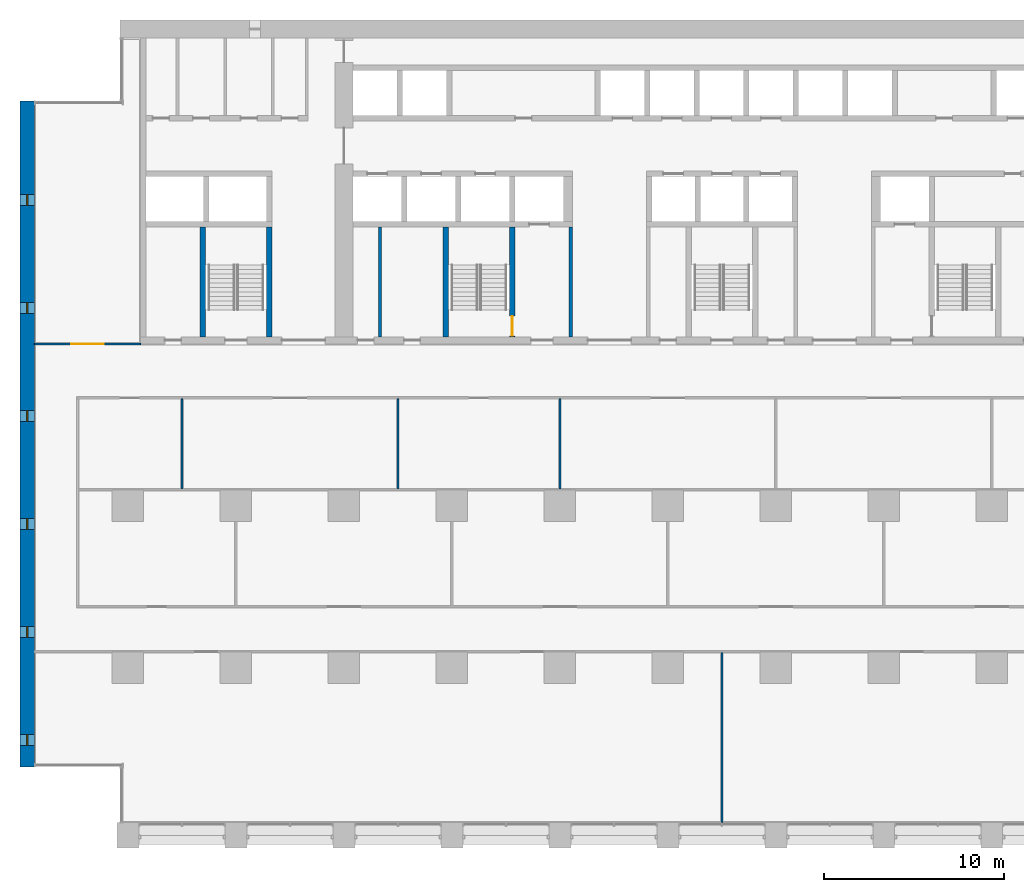
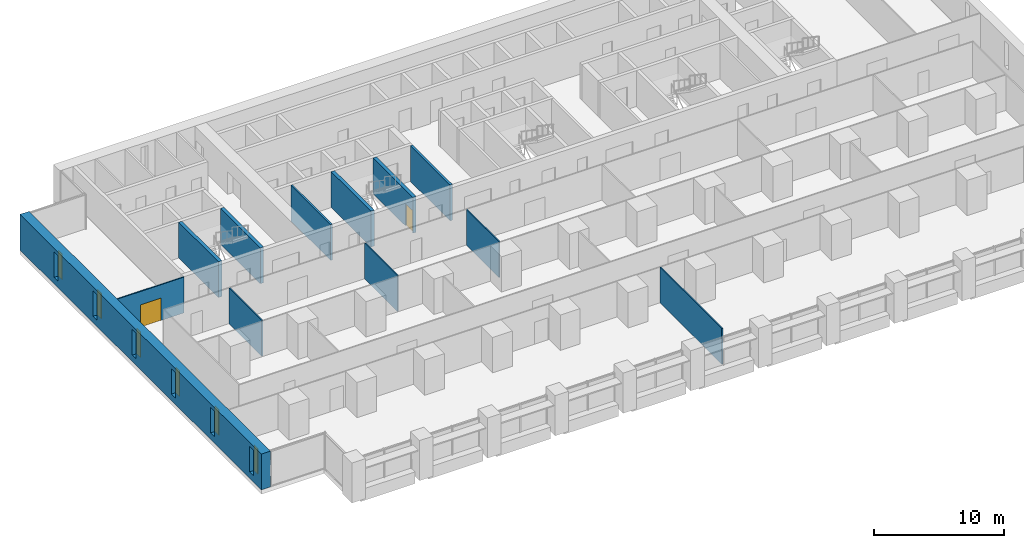
# One storey, part 8 of 18: 12 walls, 6 windows, 2 doors, 8 openings.
"""IFC4 building model written with IfcOpenShell, lengths in metres."""

from ifc_helpers import new_model, si_unit, direction, frame, frame_2d, origin, place, context, subcontext, project, spatial, rectangle, extrude, material, layer, layer_set, type_object, element, fill, save


model = new_model("IFC4")

# Units and contexts
model_context = context("Model", 3, precision=1e-05, world=origin(), true_north=direction((0.0, 1.0)))
body_context = subcontext(model_context, "Body", "Model", "MODEL_VIEW")
ifc_project = project(units=[si_unit("LENGTHUNIT", "METRE"), si_unit("AREAUNIT", "SQUARE_METRE"), si_unit("VOLUMEUNIT", "CUBIC_METRE"), si_unit("PLANEANGLEUNIT", "RADIAN"), si_unit("MASSUNIT", "GRAM", prefix="KILO")], contexts=[model_context])

# Site, building, storey
site_placement = place(None, origin())
site = spatial("IfcSite", under=ifc_project, at=site_placement, CompositionType="ELEMENT")
building_placement = place(site_placement, origin())
building = spatial("IfcBuilding", under=site, at=building_placement, Name="Calvaro Tower", CompositionType="ELEMENT")
storey_placement = place(building_placement, frame((0.0, 0.0, 37.5)))
storey = spatial("IfcBuildingStorey", under=building, at=storey_placement, Name="L08", CompositionType="ELEMENT", Elevation=37.5)

# Walls
ifc_material_1 = material(Name="Blockwork partition", Category="masonry")
ifc_layer_1 = layer(ifc_material_1, 0.14990234375)
ifc_layer_set_1 = layer_set([ifc_layer_1], Name="Blockwork partition")
wall_type_1 = type_object("IfcWallType", Name="Core partition 150 REI 120", PredefinedType="PARTITIONING", material=ifc_layer_set_1)
wall_1_placement = place(storey_placement, frame((20.0, 28.39990234375, 0.0), z_axis=(0.0, 0.0, 1.0), x_axis=(0.0, 1.0, 0.0)))
element("IfcWall", 1, at=wall_1_placement, inside=storey, type_object=wall_type_1, Name="Core partition", PredefinedType="PARTITIONING", context=body_context, shape_type="SweptSolid", body=[
    extrude(rectangle(XDim=6.10009765625, YDim=0.14990234375, at=frame_2d((3.050048828125, 0.0))), origin(), (0.0, 0.0, 1.0), 3.35009765625),
])
ifc_material_2 = material(Name="Blockwork partition", Category="masonry")
ifc_layer_2 = layer(ifc_material_2, 0.199951171875)
ifc_layer_set_2 = layer_set([ifc_layer_2], Name="Blockwork partition")
wall_type_2 = type_object("IfcWallType", Name="Core partition 200 REI 120", PredefinedType="PARTITIONING", material=ifc_layer_set_2)
wall_2_placement = place(storey_placement, frame((30.60009765625, 28.39990234375, 0.0), z_axis=(0.0, 0.0, 1.0), x_axis=(0.0, 1.0, 0.0)))
element("IfcWall", 2, at=wall_2_placement, inside=storey, type_object=wall_type_2, Name="Core partition", PredefinedType="PARTITIONING", context=body_context, shape_type="SweptSolid", body=[
    extrude(rectangle(XDim=6.10009765625, YDim=0.199951171875, at=frame_2d((3.050048828125, 0.0))), origin(), (0.0, 0.0, 1.0), 3.35009765625),
])
ifc_material_3 = material(Name="Concrete C80/95", Category="concrete")
ifc_layer_3 = layer(ifc_material_3, 0.300048828125)
ifc_layer_set_3 = layer_set([ifc_layer_3], Name="Concrete C80/95")
wall_type_3 = type_object("IfcWallType", Name="Core wall C80/95 300", PredefinedType="SHEAR", material=ifc_layer_set_3)
for number, where, z_axis, x_axis, name in (
    (3, (10.14990234375, 28.39990234375, 0.0), (0.0, 0.0, 1.0), (0.0, 1.0, 0.0), "Core wall, stair enclosure"),
    (4, (13.85009765625, 28.39990234375, 0.0), (0.0, 0.0, 1.0), (0.0, 1.0, 0.0), "Core wall, stair enclosure"),
    (5, (23.64990234375, 28.39990234375, 0.0), (0.0, 0.0, 1.0), (0.0, 1.0, 0.0), "Core wall, stair enclosure"),
):
    element("IfcWall", number, at=place(storey_placement, frame(where, z_axis=z_axis, x_axis=x_axis)), inside=storey, type_object=wall_type_3, Name=name, PredefinedType="SHEAR", context=body_context, shape_type="SweptSolid", body=[
        extrude(rectangle(XDim=6.10009765625, YDim=0.300048828125, at=frame_2d((3.050048828125, 0.0))), origin(), (0.0, 0.0, 1.0), 3.35009765625),
    ])

# Wall, opening, door
wall_3_placement = place(storey_placement, frame((27.35009765625, 28.39990234375, 0.0), z_axis=(0.0, 0.0, 1.0), x_axis=(0.0, 1.0, 0.0)))
wall_3 = element("IfcWall", 6, at=wall_3_placement, inside=storey, type_object=wall_type_3, Name="Core wall, stair enclosure", PredefinedType="SHEAR", context=body_context, shape_type="SweptSolid", body=[
    extrude(rectangle(XDim=6.10009765625, YDim=0.300048828125, at=frame_2d((3.050048828125, 0.0))), origin(), (0.0, 0.0, 1.0), 3.35009765625),
])
opening_1_placement = place(wall_3_placement, frame((0.050048828125, 0.0, 0.0)))
opening_1 = element("IfcOpeningElement", 7, at=opening_1_placement, cuts=wall_3, Name="Opening FD11D", PredefinedType="OPENING", context=body_context, shape_type="SweptSolid", body=[
    extrude(rectangle(XDim=1.10009765625, YDim=2.10009765625, at=frame_2d((0.550048828125, 1.050048828125))), frame((0.0, 0.159912109375, 0.0), z_axis=(0.0, -1.0, 0.0), x_axis=(1.0, 0.0, 0.0)), (0.0, 0.0, 1.0), 0.320068359375),
])
ifc_material_4 = material(Name="Steel door set", Category="steel")
door_type_1 = type_object("IfcDoorType", Name="Fire door 1100 FD30S", OperationType="SINGLE_SWING_LEFT", PredefinedType="DOOR", material=ifc_material_4)
door_1_placement = place(opening_1_placement, origin())
door_1 = element("IfcDoor", 8, at=door_1_placement, inside=storey, type_object=door_type_1, Name="Fire door", OperationType="SINGLE_SWING_LEFT", OverallHeight=2.10009765625, OverallWidth=1.10009765625, PredefinedType="DOOR", context=body_context, shape_type="SweptSolid", body=[
    extrude(rectangle(XDim=1.10009765625, YDim=2.10009765625, at=frame_2d((0.550048828125, 1.050048828125))), frame((0.0, 0.02490234375, 0.0), z_axis=(0.0, -1.0, 0.0), x_axis=(1.0, 0.0, 0.0)), (0.0, 0.0, 1.0), 0.050048828125),
])
fill(opening_1, door_1)

# Wall, openings, windows
ifc_material_5 = material(Name="Concrete C80/95", Category="concrete")
ifc_layer_4 = layer(ifc_material_5, 0.800048828125)
ifc_layer_set_4 = layer_set([ifc_layer_4], Name="Concrete C80/95")
wall_type_4 = type_object("IfcWallType", Name="End wall 800 C80/95", PredefinedType="SHEAR", material=ifc_layer_set_4)
wall_4_placement = place(storey_placement, frame((0.39990234375, 4.5, 0.0), z_axis=(0.0, 0.0, 1.0), x_axis=(0.0, 1.0, 0.0)))
wall_4 = element("IfcWall", 9, at=wall_4_placement, inside=storey, type_object=wall_type_4, Name="End shear wall", PredefinedType="SHEAR", context=body_context, shape_type="SweptSolid", body=[
    extrude(rectangle(XDim=37.0, YDim=0.800048828125, at=frame_2d((18.5, 0.0))), origin(), (0.0, 0.0, 1.0), 3.35009765625),
])
opening_2_placement = place(wall_4_placement, frame((1.199951171875, 0.0, 0.60009765625)))
opening_2 = element("IfcOpeningElement", 10, at=opening_2_placement, cuts=wall_4, Name="Opening WW01", PredefinedType="OPENING", context=body_context, shape_type="SweptSolid", body=[
    extrude(rectangle(XDim=0.60009765625, YDim=2.39990234375, at=frame_2d((0.300048828125, 1.199951171875))), frame((0.0, 0.409912109375, 0.0), z_axis=(0.0, -1.0, 0.0), x_axis=(1.0, 0.0, 0.0)), (0.0, 0.0, 1.0), 0.820068359375),
])
opening_3_placement = place(wall_4_placement, frame((7.199951171875, 0.0, 0.60009765625)))
opening_3 = element("IfcOpeningElement", 11, at=opening_3_placement, cuts=wall_4, Name="Opening WW02", PredefinedType="OPENING", context=body_context, shape_type="SweptSolid", body=[
    extrude(rectangle(XDim=0.60009765625, YDim=2.39990234375, at=frame_2d((0.300048828125, 1.199951171875))), frame((0.0, 0.409912109375, 0.0), z_axis=(0.0, -1.0, 0.0), x_axis=(1.0, 0.0, 0.0)), (0.0, 0.0, 1.0), 0.820068359375),
])
opening_4_placement = place(wall_4_placement, frame((13.199951171875, 0.0, 0.60009765625)))
opening_4 = element("IfcOpeningElement", 12, at=opening_4_placement, cuts=wall_4, Name="Opening WW03", PredefinedType="OPENING", context=body_context, shape_type="SweptSolid", body=[
    extrude(rectangle(XDim=0.60009765625, YDim=2.39990234375, at=frame_2d((0.300048828125, 1.199951171875))), frame((0.0, 0.409912109375, 0.0), z_axis=(0.0, -1.0, 0.0), x_axis=(1.0, 0.0, 0.0)), (0.0, 0.0, 1.0), 0.820068359375),
])
opening_5_placement = place(wall_4_placement, frame((19.199951171875, 0.0, 0.60009765625)))
opening_5 = element("IfcOpeningElement", 13, at=opening_5_placement, cuts=wall_4, Name="Opening WW04", PredefinedType="OPENING", context=body_context, shape_type="SweptSolid", body=[
    extrude(rectangle(XDim=0.60009765625, YDim=2.39990234375, at=frame_2d((0.300048828125, 1.199951171875))), frame((0.0, 0.409912109375, 0.0), z_axis=(0.0, -1.0, 0.0), x_axis=(1.0, 0.0, 0.0)), (0.0, 0.0, 1.0), 0.820068359375),
])
opening_6_placement = place(wall_4_placement, frame((25.199951171875, 0.0, 0.60009765625)))
opening_6 = element("IfcOpeningElement", 14, at=opening_6_placement, cuts=wall_4, Name="Opening WW05", PredefinedType="OPENING", context=body_context, shape_type="SweptSolid", body=[
    extrude(rectangle(XDim=0.60009765625, YDim=2.39990234375, at=frame_2d((0.300048828125, 1.199951171875))), frame((0.0, 0.409912109375, 0.0), z_axis=(0.0, -1.0, 0.0), x_axis=(1.0, 0.0, 0.0)), (0.0, 0.0, 1.0), 0.820068359375),
])
opening_7_placement = place(wall_4_placement, frame((31.199951171875, 0.0, 0.60009765625)))
opening_7 = element("IfcOpeningElement", 15, at=opening_7_placement, cuts=wall_4, Name="Opening WW06", PredefinedType="OPENING", context=body_context, shape_type="SweptSolid", body=[
    extrude(rectangle(XDim=0.60009765625, YDim=2.39990234375, at=frame_2d((0.300048828125, 1.199951171875))), frame((0.0, 0.409912109375, 0.0), z_axis=(0.0, -1.0, 0.0), x_axis=(1.0, 0.0, 0.0)), (0.0, 0.0, 1.0), 0.820068359375),
])
ifc_material_6 = material(Name="Glass", Category="glass")
window_type = type_object("IfcWindowType", Name="Slit window 600 x 2400", PartitioningType="SINGLE_PANEL", PredefinedType="WINDOW", material=ifc_material_6)
window_1_placement = place(opening_2_placement, origin())
window_1 = element("IfcWindow", 16, at=window_1_placement, inside=storey, type_object=window_type, Name="Window WW01", OverallHeight=2.39990234375, OverallWidth=0.60009765625, PartitioningType="SINGLE_PANEL", PredefinedType="WINDOW", context=body_context, shape_type="SweptSolid", body=[
    extrude(rectangle(XDim=0.60009765625, YDim=2.39990234375, at=frame_2d((0.300048828125, 1.199951171875))), frame((0.0, 0.030029296875, 0.0), z_axis=(0.0, -1.0, 0.0), x_axis=(1.0, 0.0, 0.0)), (0.0, 0.0, 1.0), 0.06005859375),
])
fill(opening_2, window_1)
window_2_placement = place(opening_3_placement, origin())
window_2 = element("IfcWindow", 17, at=window_2_placement, inside=storey, type_object=window_type, Name="Window WW02", OverallHeight=2.39990234375, OverallWidth=0.60009765625, PartitioningType="SINGLE_PANEL", PredefinedType="WINDOW", context=body_context, shape_type="SweptSolid", body=[
    extrude(rectangle(XDim=0.60009765625, YDim=2.39990234375, at=frame_2d((0.300048828125, 1.199951171875))), frame((0.0, 0.030029296875, 0.0), z_axis=(0.0, -1.0, 0.0), x_axis=(1.0, 0.0, 0.0)), (0.0, 0.0, 1.0), 0.06005859375),
])
fill(opening_3, window_2)
window_3_placement = place(opening_4_placement, origin())
window_3 = element("IfcWindow", 18, at=window_3_placement, inside=storey, type_object=window_type, Name="Window WW03", OverallHeight=2.39990234375, OverallWidth=0.60009765625, PartitioningType="SINGLE_PANEL", PredefinedType="WINDOW", context=body_context, shape_type="SweptSolid", body=[
    extrude(rectangle(XDim=0.60009765625, YDim=2.39990234375, at=frame_2d((0.300048828125, 1.199951171875))), frame((0.0, 0.030029296875, 0.0), z_axis=(0.0, -1.0, 0.0), x_axis=(1.0, 0.0, 0.0)), (0.0, 0.0, 1.0), 0.06005859375),
])
fill(opening_4, window_3)
window_4_placement = place(opening_5_placement, origin())
window_4 = element("IfcWindow", 19, at=window_4_placement, inside=storey, type_object=window_type, Name="Window WW04", OverallHeight=2.39990234375, OverallWidth=0.60009765625, PartitioningType="SINGLE_PANEL", PredefinedType="WINDOW", context=body_context, shape_type="SweptSolid", body=[
    extrude(rectangle(XDim=0.60009765625, YDim=2.39990234375, at=frame_2d((0.300048828125, 1.199951171875))), frame((0.0, 0.030029296875, 0.0), z_axis=(0.0, -1.0, 0.0), x_axis=(1.0, 0.0, 0.0)), (0.0, 0.0, 1.0), 0.06005859375),
])
fill(opening_5, window_4)
window_5_placement = place(opening_6_placement, origin())
window_5 = element("IfcWindow", 20, at=window_5_placement, inside=storey, type_object=window_type, Name="Window WW05", OverallHeight=2.39990234375, OverallWidth=0.60009765625, PartitioningType="SINGLE_PANEL", PredefinedType="WINDOW", context=body_context, shape_type="SweptSolid", body=[
    extrude(rectangle(XDim=0.60009765625, YDim=2.39990234375, at=frame_2d((0.300048828125, 1.199951171875))), frame((0.0, 0.030029296875, 0.0), z_axis=(0.0, -1.0, 0.0), x_axis=(1.0, 0.0, 0.0)), (0.0, 0.0, 1.0), 0.06005859375),
])
fill(opening_6, window_5)
window_6_placement = place(opening_7_placement, origin())
window_6 = element("IfcWindow", 21, at=window_6_placement, inside=storey, type_object=window_type, Name="Window WW06", OverallHeight=2.39990234375, OverallWidth=0.60009765625, PartitioningType="SINGLE_PANEL", PredefinedType="WINDOW", context=body_context, shape_type="SweptSolid", body=[
    extrude(rectangle(XDim=0.60009765625, YDim=2.39990234375, at=frame_2d((0.300048828125, 1.199951171875))), frame((0.0, 0.030029296875, 0.0), z_axis=(0.0, -1.0, 0.0), x_axis=(1.0, 0.0, 0.0)), (0.0, 0.0, 1.0), 0.06005859375),
])
fill(opening_7, window_6)

# Wall, opening, door
ifc_material_7 = material(Name="Plasterboard on steel studs", Category="steel")
ifc_layer_5 = layer(ifc_material_7, 0.10009765625)
ifc_layer_set_5 = layer_set([ifc_layer_5], Name="Plasterboard on steel studs")
wall_type_5 = type_object("IfcWallType", Name="Partition 100", PredefinedType="PARTITIONING", material=ifc_layer_set_5)
wall_5_placement = place(storey_placement, frame((0.800048828125, 28.0, 0.0), z_axis=(0.0, 0.0, 1.0), x_axis=(1.0, 0.0, 0.0)))
wall_5 = element("IfcWall", 22, at=wall_5_placement, inside=storey, type_object=wall_type_5, Name="Partition T09.W005", PredefinedType="PARTITIONING", context=body_context, shape_type="SweptSolid", body=[
    extrude(rectangle(XDim=5.89990234375, YDim=0.10009765625, at=frame_2d((2.949951171875, 0.0))), origin(), (0.0, 0.0, 1.0), 3.35009765625),
])
opening_8_placement = place(wall_5_placement, frame((2.050048828125, 0.0, 0.0)))
opening_8 = element("IfcOpeningElement", 23, at=opening_8_placement, cuts=wall_5, Name="Opening T09.019", PredefinedType="OPENING", context=body_context, shape_type="SweptSolid", body=[
    extrude(rectangle(XDim=1.800048828125, YDim=2.10009765625, at=frame_2d((0.89990234375, 1.050048828125))), frame((0.0, 0.06005859375, 0.0), z_axis=(0.0, -1.0, 0.0), x_axis=(1.0, 0.0, 0.0)), (0.0, 0.0, 1.0), 0.1201171875),
])
ifc_material_8 = material(Name="Timber", Category="wood")
door_type_2 = type_object("IfcDoorType", Name="Internal double door 1800 x 2100", OperationType="DOUBLE_DOOR_SINGLE_SWING", PredefinedType="DOOR", material=ifc_material_8)
door_2_placement = place(opening_8_placement, origin())
door_2 = element("IfcDoor", 24, at=door_2_placement, inside=storey, type_object=door_type_2, Name="Door T09.019", OperationType="DOUBLE_DOOR_SINGLE_SWING", OverallHeight=2.10009765625, OverallWidth=1.800048828125, PredefinedType="DOOR", context=body_context, shape_type="SweptSolid", body=[
    extrude(rectangle(XDim=1.800048828125, YDim=2.10009765625, at=frame_2d((0.89990234375, 1.050048828125))), frame((0.0, 0.02490234375, 0.0), z_axis=(0.0, -1.0, 0.0), x_axis=(1.0, 0.0, 0.0)), (0.0, 0.0, 1.0), 0.050048828125),
])
fill(opening_8, door_2)

# Walls
for number, where, z_axis, x_axis, name in (
    (25, (9.0, 19.949951171875, 0.0), (0.0, 0.0, 1.0), (0.0, 1.0, 0.0), "Partition T09.W008"),
    (26, (21.0, 19.949951171875, 0.0), (0.0, 0.0, 1.0), (0.0, 1.0, 0.0), "Partition T09.W010"),
    (27, (30.0, 19.949951171875, 0.0), (0.0, 0.0, 1.0), (0.0, 1.0, 0.0), "Partition T09.W012"),
):
    element("IfcWall", number, at=place(storey_placement, frame(where, z_axis=z_axis, x_axis=x_axis)), inside=storey, type_object=wall_type_5, Name=name, PredefinedType="PARTITIONING", context=body_context, shape_type="SweptSolid", body=[
        extrude(rectangle(XDim=5.0, YDim=0.10009765625, at=frame_2d((2.5, 0.0))), origin(), (0.0, 0.0, 1.0), 3.35009765625),
    ])
wall_6_placement = place(storey_placement, frame((39.0, 1.39990234375, 0.0), z_axis=(0.0, 0.0, 1.0), x_axis=(0.0, 1.0, 0.0)))
element("IfcWall", 28, at=wall_6_placement, inside=storey, type_object=wall_type_5, Name="Partition T09.W014", PredefinedType="PARTITIONING", context=body_context, shape_type="SweptSolid", body=[
    extrude(rectangle(XDim=9.4501953125, YDim=0.10009765625, at=frame_2d((4.72509765625, 0.0))), origin(), (0.0, 0.0, 1.0), 3.35009765625),
])

save(model, "model.ifc")
